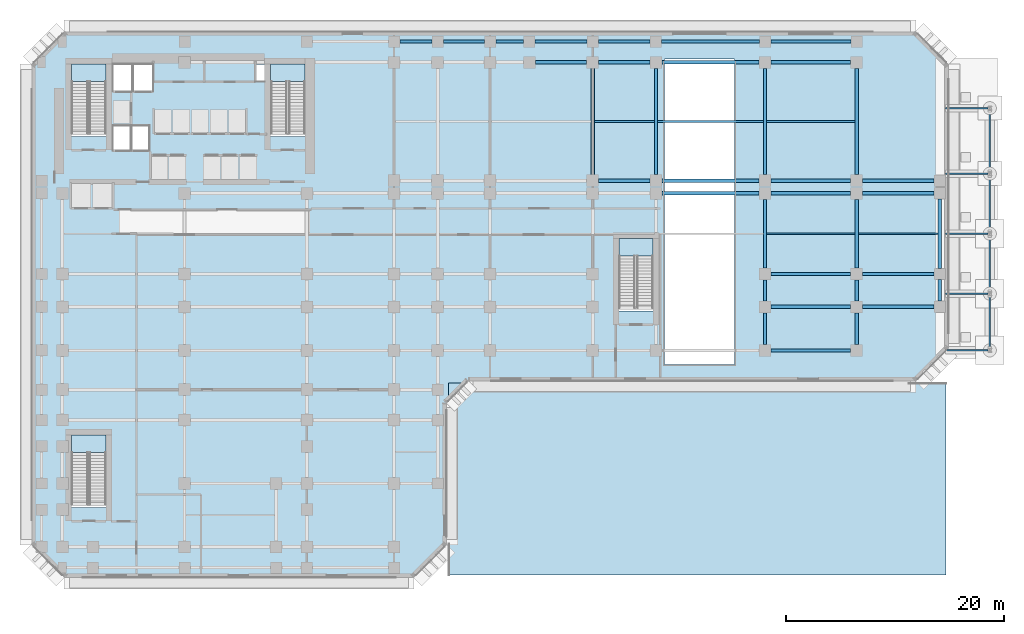
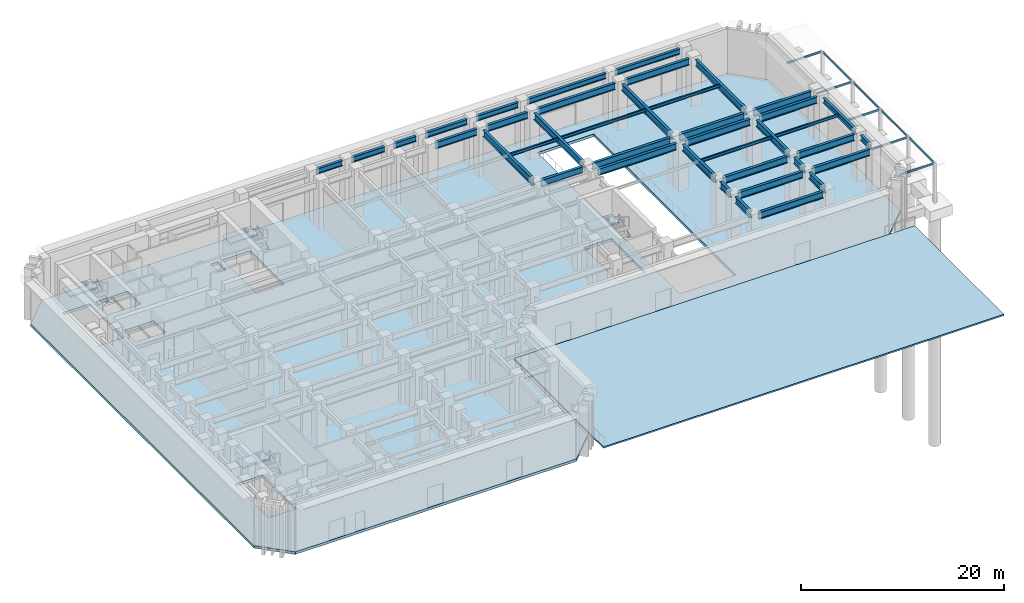
# One storey, part 5 of 18: 45 beams, 6 slabs, 4 members, 4 elements without a shape of their own.
"""IFC4 building model written with IfcOpenShell, lengths in metres."""

import ifcopenshell
import ifcopenshell.guid

model = None  # the IFC model being written
_history = None  # IfcOwnerHistory: only IFC2X3 demands one
_inside = {}  # id of a spatial element -> (the spatial element, [elements in it])
_under = {}  # id of a project, library or spatial element -> (it, [spatial elements below it])
_declared = {}  # id of a project -> (the project, [libraries it declares])
_typed = {}  # id of a type object -> (the type object, [elements of that type])
_made_of = {}  # id of a material, layer set ... -> (it, [elements and type objects made of it])


def new_model(schema):
    """Start an empty IFC model of exactly this schema.

    Asked for "IFC4X3", IfcOpenShell would pick the latest addendum, in which some entities
    have other attributes; the version numbers below select the first issue.
    IFC2X3 requires an IfcOwnerHistory on every rooted entity: one is made here for all.
    """
    global model, _history
    if schema == "IFC4X3":
        model = ifcopenshell.file(schema_version=(4, 3, 0, 0))
    else:
        model = ifcopenshell.file(schema=schema)
    _inside.clear()
    _under.clear()
    _declared.clear()
    _typed.clear()
    _made_of.clear()
    _history = None
    if model.schema == "IFC2X3":
        org = make("IfcOrganization", Name="unknown")
        user = make(
            "IfcPersonAndOrganization",
            ThePerson=make("IfcPerson", FamilyName="unknown"),
            TheOrganization=org,
        )
        app = make(
            "IfcApplication",
            ApplicationDeveloper=org,
            Version="unknown",
            ApplicationFullName="unknown",
            ApplicationIdentifier="unknown",
        )
        _history = make(
            "IfcOwnerHistory",
            OwningUser=user,
            OwningApplication=app,
            ChangeAction="ADDED",
            CreationDate=0,
        )
    return model


def make(cls, **values):
    """One entity of the class cls with the attributes given. An attribute that is None is left unset."""
    return model.create_entity(
        cls, **{name: value for name, value in values.items() if value is not None}
    )


def rooted(cls, **values):
    """An entity with a GlobalId (a new one), such as an element, a storey or a relation."""
    return make(cls, GlobalId=ifcopenshell.guid.new(), OwnerHistory=_history, **values)


def si_unit(unit_type, name, prefix=None):
    """IfcSIUnit, for example si_unit("LENGTHUNIT", "METRE", prefix="MILLI")."""
    return make("IfcSIUnit", UnitType=unit_type, Prefix=prefix, Name=name)


def assignment(units):
    """IfcUnitAssignment: the units of a project."""
    return None if units is None else make("IfcUnitAssignment", Units=units)


def point(xyz):
    """IfcCartesianPoint."""
    return None if xyz is None else make("IfcCartesianPoint", Coordinates=xyz)


def direction(xyz):
    """IfcDirection."""
    return None if xyz is None else make("IfcDirection", DirectionRatios=xyz)


def frame(location, z_axis=None, x_axis=None):
    """IfcAxis2Placement3D, a coordinate frame: its origin and axes. An axis left out is left unset."""
    return make(
        "IfcAxis2Placement3D",
        Location=point(location),
        Axis=direction(z_axis),
        RefDirection=direction(x_axis),
    )


def frame_2d(location, x_axis=None):
    """IfcAxis2Placement2D, a coordinate frame in the plane: its origin and x axis."""
    return make(
        "IfcAxis2Placement2D", Location=point(location), RefDirection=direction(x_axis)
    )


def origin():
    """The frame at (0, 0, 0) with its axes left unset."""
    return frame((0.0, 0.0, 0.0))


def origin_2d():
    """The frame at (0, 0) in the plane with its x axis left unset."""
    return frame_2d((0.0, 0.0))


def place(relative_to, where):
    """IfcLocalPlacement: puts the frame where relative to a parent placement (None: the world)."""
    return make(
        "IfcLocalPlacement", PlacementRelTo=relative_to, RelativePlacement=where
    )


def context(
    kind, dimensions, precision=None, world=None, true_north=None, identifier=None
):
    """IfcGeometricRepresentationContext, for example the 3D "Model" context."""
    return make(
        "IfcGeometricRepresentationContext",
        ContextIdentifier=identifier,
        ContextType=kind,
        CoordinateSpaceDimension=dimensions,
        Precision=precision,
        WorldCoordinateSystem=world,
        TrueNorth=true_north,
    )


def subcontext(parent, identifier, kind, view, scale=None):
    """IfcGeometricRepresentationSubContext, for example "Body" below "Model"."""
    return make(
        "IfcGeometricRepresentationSubContext",
        ContextIdentifier=identifier,
        ContextType=kind,
        ParentContext=parent,
        TargetScale=scale,
        TargetView=view,
    )


def project(units=None, contexts=None):
    """IfcProject with its units and contexts."""
    return rooted(
        "IfcProject",
        Name="project",
        RepresentationContexts=contexts,
        UnitsInContext=assignment(units),
    )


def spatial(cls, under=None, at=None, **own):
    """A site, building, storey or space (cls), placed at a placement, below another one or the project."""
    s = rooted(cls, ObjectPlacement=at, **own)
    if under is not None:
        _under.setdefault(under.id(), (under, []))[1].append(s)
    return s


def polyline(points):
    """IfcPolyline through the points."""
    return make("IfcPolyline", Points=[point(p) for p in points])


def profile(cls, at=None, kind="AREA", **sizes):
    """A parametric profile (cls). Its sizes go by their IFC names, for example OverallWidth=200.0."""
    return make(cls, ProfileType=kind, Position=at, **sizes)


def i_section(**sizes):
    """IfcIShapeProfileDef."""
    return profile("IfcIShapeProfileDef", **sizes)


def outline(outer, holes=None, kind="AREA"):
    """IfcArbitraryClosedProfileDef: a profile drawn as a closed curve; with holes, ...WithVoids."""
    if holes is None:
        return make("IfcArbitraryClosedProfileDef", ProfileType=kind, OuterCurve=outer)
    return make(
        "IfcArbitraryProfileDefWithVoids",
        ProfileType=kind,
        OuterCurve=outer,
        InnerCurves=holes,
    )


def extrude(swept, where, along, depth):
    """IfcExtrudedAreaSolid: the profile swept, set in the frame where, extruded along a direction by depth."""
    return make(
        "IfcExtrudedAreaSolid",
        SweptArea=swept,
        Position=where,
        ExtrudedDirection=direction(along),
        Depth=depth,
    )


def shape(context_of_items, identifier, shape_type, items):
    """IfcShapeRepresentation: the items that make up one representation, for example the "Body"."""
    return make(
        "IfcShapeRepresentation",
        ContextOfItems=context_of_items,
        RepresentationIdentifier=identifier,
        RepresentationType=shape_type,
        Items=items,
    )


def material(Name=None, Category=None):
    """IfcMaterial."""
    return make("IfcMaterial", Name=Name, Category=Category)


def layer(
    of_material, thickness, ventilated=None, Name=None, Category=None, Priority=None
):
    """IfcMaterialLayer: one layer of a wall or slab, of a material (None: an air gap)."""
    return make(
        "IfcMaterialLayer",
        Material=of_material,
        LayerThickness=thickness,
        IsVentilated=ventilated,
        Name=Name,
        Category=Category,
        Priority=Priority,
    )


def layer_set(layers, Name=None):
    """IfcMaterialLayerSet."""
    return make("IfcMaterialLayerSet", MaterialLayers=layers, LayerSetName=Name)


def material_profile(
    of_material, cross_section, Name=None, Category=None, Priority=None
):
    """IfcMaterialProfile: a cross section and its material."""
    return make(
        "IfcMaterialProfile",
        Name=Name,
        Material=of_material,
        Profile=cross_section,
        Priority=Priority,
        Category=Category,
    )


def profile_set(profiles, Name=None, composite=None):
    """IfcMaterialProfileSet."""
    return make(
        "IfcMaterialProfileSet",
        Name=Name,
        MaterialProfiles=profiles,
        CompositeProfile=composite,
    )


def made_of(thing, what):
    """Note that an element or type object is made of a material, layer set ...; save() writes the relation."""
    if what is not None:
        _made_of.setdefault(what.id(), (what, []))[1].append(thing)
    return thing


def type_object(cls, material=None, **own):
    """A type object (cls), such as IfcWallType, which elements share."""
    return made_of(rooted(cls, **own), material)


def element(
    cls,
    number,
    at=None,
    inside=None,
    cuts=None,
    type_object=None,
    material=None,
    context=None,
    identifier="Body",
    shape_type=None,
    held_by="IfcProductDefinitionShape",
    body=None,
    shapes=None,
    **own,
):
    """One element of the class cls, such as IfcWall. Its Tag is "e" and its number.

    at: its placement. inside: the storey or other place that contains it. cuts: it is an
    opening in that element (IfcRelVoidsElement). A single representation is given by context,
    identifier, shape_type and body (its items); several are given by shapes. held_by: the class
    of the entity that holds the representations. save() writes the other relations.
    """
    e = rooted(cls, Tag="e%d" % number, ObjectPlacement=at, **own)
    if body is not None:
        shapes = [shape(context, identifier, shape_type, body)]
    if shapes is not None:
        e.Representation = make(held_by, Representations=shapes)
    if inside is not None:
        _inside.setdefault(inside.id(), (inside, []))[1].append(e)
    if cuts is not None:
        rooted(
            "IfcRelVoidsElement", RelatingBuildingElement=cuts, RelatedOpeningElement=e
        )
    if type_object is not None:
        _typed.setdefault(type_object.id(), (type_object, []))[1].append(e)
    return made_of(e, material)


def aggregate(whole, parts):
    """IfcRelAggregates: a whole, such as a stair, and the parts it consists of."""
    return rooted("IfcRelAggregates", RelatingObject=whole, RelatedObjects=parts)


def save(model, path):
    """Write the relations noted so far, then the file.

    IfcRelAggregates (storeys below a building ...), IfcRelContainedInSpatialStructure (elements
    in a storey), IfcRelDefinesByType, IfcRelAssociatesMaterial and IfcRelDeclares: one each for
    every whole, place, type object, material and project.
    """
    for whole, parts in _under.values():
        aggregate(whole, parts)
    for where, things in _inside.values():
        rooted(
            "IfcRelContainedInSpatialStructure",
            RelatedElements=things,
            RelatingStructure=where,
        )
    for kind, things in _typed.values():
        rooted("IfcRelDefinesByType", RelatedObjects=things, RelatingType=kind)
    for what, things in _made_of.values():
        rooted("IfcRelAssociatesMaterial", RelatedObjects=things, RelatingMaterial=what)
    for by, libraries in _declared.values():
        rooted("IfcRelDeclares", RelatingContext=by, RelatedDefinitions=libraries)
    model.write(path)


model = new_model("IFC4")

# Units and contexts
model_context = context("Model", 3, precision=1e-05, world=origin(), true_north=direction((0.0, 1.0)))
body_context = subcontext(model_context, "Body", "Model", "MODEL_VIEW")
ifc_project = project(units=[si_unit("LENGTHUNIT", "METRE"), si_unit("AREAUNIT", "SQUARE_METRE"), si_unit("VOLUMEUNIT", "CUBIC_METRE"), si_unit("PLANEANGLEUNIT", "RADIAN"), si_unit("MASSUNIT", "GRAM", prefix="KILO")], contexts=[model_context])

# Site, building, storey
site_placement = place(None, origin())
site = spatial("IfcSite", under=ifc_project, at=site_placement, CompositionType="ELEMENT")
building_placement = place(site_placement, origin())
building = spatial("IfcBuilding", under=site, at=building_placement, Name="Kefirva Bronze Tower", CompositionType="ELEMENT")
storey_placement = place(building_placement, origin())
storey = spatial("IfcBuildingStorey", under=building, at=storey_placement, Name="L00", CompositionType="ELEMENT", Elevation=0.0)

# Members
ifc_material_1 = material(Name="Steel S355", Category="steel")
ifc_material_profile_1 = material_profile(ifc_material_1, i_section(OverallWidth=0.1201171875, OverallDepth=0.239990234375, WebThickness=0.006103515625, FlangeThickness=0.009765625, at=origin_2d()), Name="IPE 240")
ifc_profile_set_1 = profile_set([ifc_material_profile_1], Name="Steel S355")
member_type = type_object("IfcMemberType", Name="Steel Canopy Purlin IPE 240", PredefinedType="PURLIN", material=ifc_profile_set_1)
member_1_placement = place(storey_placement, frame((85.800048828125, 18.97998046875, 4.47998046875), z_axis=(0.0, 1.0, 0.0), x_axis=(-1.0, 0.0, 0.0)))
element("IfcMember", 1, at=member_1_placement, inside=storey, type_object=member_type, Name="L00 Canopy Purlin 1", PredefinedType="PURLIN", context=body_context, shape_type="SweptSolid", body=[
    extrude(i_section(OverallWidth=0.1201171875, OverallDepth=0.239990234375, WebThickness=0.006103515625, FlangeThickness=0.009765625, at=origin_2d()), origin(), (0.0, 0.0, 1.0), 4.840087890625),
])
for number, where, z_axis, x_axis, name in (
    (2, (85.800048828125, 24.179931640625, 4.47998046875), (0.0, 1.0, 0.0), (-1.0, 0.0, 0.0), "L00 Canopy Purlin 2"),
    (3, (85.800048828125, 29.679931640625, 4.47998046875), (0.0, 1.0, 0.0), (-1.0, 0.0, 0.0), "L00 Canopy Purlin 3"),
):
    element("IfcMember", number, at=place(storey_placement, frame(where, z_axis=z_axis, x_axis=x_axis)), inside=storey, type_object=member_type, Name=name, PredefinedType="PURLIN", context=body_context, shape_type="SweptSolid", body=[
        extrude(i_section(OverallWidth=0.1201171875, OverallDepth=0.239990234375, WebThickness=0.006103515625, FlangeThickness=0.009765625, at=origin_2d()), origin(), (0.0, 0.0, 1.0), 5.14013671875),
    ])
member_2_placement = place(storey_placement, frame((85.800048828125, 35.179931640625, 4.47998046875), z_axis=(0.0, 1.0, 0.0), x_axis=(-1.0, 0.0, 0.0)))
element("IfcMember", 4, at=member_2_placement, inside=storey, type_object=member_type, Name="L00 Canopy Purlin 4", PredefinedType="PURLIN", context=body_context, shape_type="SweptSolid", body=[
    extrude(i_section(OverallWidth=0.1201171875, OverallDepth=0.239990234375, WebThickness=0.006103515625, FlangeThickness=0.009765625, at=origin_2d()), origin(), (0.0, 0.0, 1.0), 5.64013671875),
])

# Beams
ifc_material_profile_2 = material_profile(ifc_material_1, i_section(OverallWidth=0.1201171875, OverallDepth=0.239990234375, WebThickness=0.006103515625, FlangeThickness=0.009765625, at=origin_2d()), Name="IPE 240")
ifc_profile_set_2 = profile_set([ifc_material_profile_2], Name="Steel S355")
beam_type_1 = type_object("IfcBeamType", Name="Steel Exterior Lintel IPE 240", PredefinedType="LINTEL", material=ifc_profile_set_2)
for number, where, z_axis, x_axis, name in (
    (5, (81.72509765625, 18.800048828125, 4.47998046875), (1.0, 0.0, 0.0), (0.0, 1.0, 0.0), "L00 Canopy Tie Beam 1"),
    (6, (81.72509765625, 24.0, 4.47998046875), (1.0, 0.0, 0.0), (0.0, 1.0, 0.0), "L00 Canopy Tie Beam 2"),
    (7, (81.72509765625, 29.5, 4.47998046875), (1.0, 0.0, 0.0), (0.0, 1.0, 0.0), "L00 Canopy Tie Beam 3"),
    (8, (81.72509765625, 35.0, 4.47998046875), (1.0, 0.0, 0.0), (0.0, 1.0, 0.0), "L00 Canopy Tie Beam 4"),
    (9, (81.72509765625, 41.0, 4.47998046875), (1.0, 0.0, 0.0), (0.0, 1.0, 0.0), "L00 Canopy Tie Beam 5"),
):
    element("IfcBeam", number, at=place(storey_placement, frame(where, z_axis=z_axis, x_axis=x_axis)), inside=storey, type_object=beam_type_1, Name=name, PredefinedType="LINTEL", context=body_context, shape_type="SweptSolid", body=[
        extrude(i_section(OverallWidth=0.1201171875, OverallDepth=0.239990234375, WebThickness=0.006103515625, FlangeThickness=0.009765625, at=origin_2d()), origin(), (0.0, 0.0, 1.0), 3.914794921875),
    ])
ifc_material_profile_3 = material_profile(ifc_material_1, i_section(OverallWidth=0.159912109375, OverallDepth=0.330078125, WebThickness=0.007568359375, FlangeThickness=0.011474609375, at=origin_2d()), Name="IPE 330")
ifc_profile_set_3 = profile_set([ifc_material_profile_3], Name="Steel S355")
beam_type_2 = type_object("IfcBeamType", Name="Steel Floor Joist IPE 330", PredefinedType="JOIST", material=ifc_profile_set_3)
beam_1_placement = place(storey_placement, frame((49.550048828125, 39.77490234375, 5.455078125), z_axis=(1.0, 0.0, 0.0), x_axis=(0.0, 1.0, 0.0)))
element("IfcBeam", 10, at=beam_1_placement, inside=storey, type_object=beam_type_2, Name="L00 JST-L00-49-397", PredefinedType="JOIST", context=body_context, shape_type="SweptSolid", body=[
    extrude(i_section(OverallWidth=0.159912109375, OverallDepth=0.330078125, WebThickness=0.007568359375, FlangeThickness=0.011474609375, at=origin_2d()), origin(), (0.0, 0.0, 1.0), 5.5),
])
beam_2_placement = place(storey_placement, frame((55.35009765625, 39.77490234375, 5.455078125), z_axis=(1.0, 0.0, 0.0), x_axis=(0.0, 1.0, 0.0)))
element("IfcBeam", 11, at=beam_2_placement, inside=storey, type_object=beam_type_2, Name="L00 JST-L00-55-397", PredefinedType="JOIST", context=body_context, shape_type="SweptSolid", body=[
    extrude(i_section(OverallWidth=0.159912109375, OverallDepth=0.330078125, WebThickness=0.007568359375, FlangeThickness=0.011474609375, at=origin_2d()), origin(), (0.0, 0.0, 1.0), 9.699951171875),
])
for number, where, z_axis, x_axis, name in (
    (12, (65.35009765625, 29.5, 5.455078125), (1.0, 0.0, 0.0), (0.0, 1.0, 0.0), "L00 JST-L00-65-295"),
    (13, (65.35009765625, 39.77490234375, 5.455078125), (1.0, 0.0, 0.0), (0.0, 1.0, 0.0), "L00 JST-L00-65-397"),
):
    element("IfcBeam", number, at=place(storey_placement, frame(where, z_axis=z_axis, x_axis=x_axis)), inside=storey, type_object=beam_type_2, Name=name, PredefinedType="JOIST", context=body_context, shape_type="SweptSolid", body=[
        extrude(i_section(OverallWidth=0.159912109375, OverallDepth=0.330078125, WebThickness=0.007568359375, FlangeThickness=0.011474609375, at=origin_2d()), origin(), (0.0, 0.0, 1.0), 8.099853515625),
    ])
beam_3_placement = place(storey_placement, frame((73.75, 29.5, 5.455078125), z_axis=(1.0, 0.0, 0.0), x_axis=(0.0, 1.0, 0.0)))
element("IfcBeam", 14, at=beam_3_placement, inside=storey, type_object=beam_type_2, Name="L00 JST-L00-73-295", PredefinedType="JOIST", context=body_context, shape_type="SweptSolid", body=[
    extrude(i_section(OverallWidth=0.159912109375, OverallDepth=0.330078125, WebThickness=0.007568359375, FlangeThickness=0.011474609375, at=origin_2d()), origin(), (0.0, 0.0, 1.0), 7.300048828125),
])
ifc_material_profile_4 = material_profile(ifc_material_1, i_section(OverallWidth=0.300048828125, OverallDepth=0.800048828125, WebThickness=0.017578125, FlangeThickness=0.032958984375, at=origin_2d()), Name="HEB 800")
ifc_profile_set_4 = profile_set([ifc_material_profile_4], Name="Steel S355")
beam_type_3 = type_object("IfcBeamType", Name="Steel Girder HEB 800", PredefinedType="USERDEFINED", material=ifc_profile_set_4)
for number, where, z_axis, x_axis, name in (
    (15, (65.75, 18.800048828125, 5.219970703125), (1.0, 0.0, 0.0), (0.0, 1.0, 0.0), "L00 BM-L00-EW-65-188"),
    (16, (65.75, 22.800048828125, 5.219970703125), (1.0, 0.0, 0.0), (0.0, 1.0, 0.0), "L00 BM-L00-EW-65-228"),
):
    element("IfcBeam", number, at=place(storey_placement, frame(where, z_axis=z_axis, x_axis=x_axis)), inside=storey, type_object=beam_type_3, Name=name, ObjectType="GIRDER", PredefinedType="USERDEFINED", context=body_context, shape_type="SweptSolid", body=[
        extrude(i_section(OverallWidth=0.300048828125, OverallDepth=0.800048828125, WebThickness=0.017578125, FlangeThickness=0.032958984375, at=origin_2d()), origin(), (0.0, 0.0, 1.0), 7.300048828125),
    ])
beam_4_placement = place(storey_placement, frame((74.14990234375, 22.800048828125, 5.219970703125), z_axis=(1.0, 0.0, 0.0), x_axis=(0.0, 1.0, 0.0)))
element("IfcBeam", 17, at=beam_4_placement, inside=storey, type_object=beam_type_3, Name="L00 BM-L00-EW-73-228", ObjectType="GIRDER", PredefinedType="USERDEFINED", context=body_context, shape_type="SweptSolid", body=[
    extrude(i_section(OverallWidth=0.300048828125, OverallDepth=0.800048828125, WebThickness=0.017578125, FlangeThickness=0.032958984375, at=origin_2d()), origin(), (0.0, 0.0, 1.0), 6.525146484375),
])
beam_5_placement = place(storey_placement, frame((65.75, 25.800048828125, 5.219970703125), z_axis=(1.0, 0.0, 0.0), x_axis=(0.0, 1.0, 0.0)))
element("IfcBeam", 18, at=beam_5_placement, inside=storey, type_object=beam_type_3, Name="L00 BM-L00-EW-65-258", ObjectType="GIRDER", PredefinedType="USERDEFINED", context=body_context, shape_type="SweptSolid", body=[
    extrude(i_section(OverallWidth=0.300048828125, OverallDepth=0.800048828125, WebThickness=0.017578125, FlangeThickness=0.032958984375, at=origin_2d()), origin(), (0.0, 0.0, 1.0), 7.300048828125),
])
beam_6_placement = place(storey_placement, frame((74.14990234375, 25.800048828125, 5.219970703125), z_axis=(1.0, 0.0, 0.0), x_axis=(0.0, 1.0, 0.0)))
element("IfcBeam", 19, at=beam_6_placement, inside=storey, type_object=beam_type_3, Name="L00 BM-L00-EW-73-258", ObjectType="GIRDER", PredefinedType="USERDEFINED", context=body_context, shape_type="SweptSolid", body=[
    extrude(i_section(OverallWidth=0.300048828125, OverallDepth=0.800048828125, WebThickness=0.017578125, FlangeThickness=0.032958984375, at=origin_2d()), origin(), (0.0, 0.0, 1.0), 6.525146484375),
])
beam_7_placement = place(storey_placement, frame((55.75, 33.199951171875, 5.219970703125), z_axis=(1.0, 0.0, 0.0), x_axis=(0.0, 1.0, 0.0)))
element("IfcBeam", 20, at=beam_7_placement, inside=storey, type_object=beam_type_3, Name="L00 BM-L00-EW-55-332", ObjectType="GIRDER", PredefinedType="USERDEFINED", context=body_context, shape_type="SweptSolid", body=[
    extrude(i_section(OverallWidth=0.300048828125, OverallDepth=0.800048828125, WebThickness=0.017578125, FlangeThickness=0.032958984375, at=origin_2d()), origin(), (0.0, 0.0, 1.0), 8.89990234375),
])
beam_8_placement = place(storey_placement, frame((65.75, 33.199951171875, 5.219970703125), z_axis=(1.0, 0.0, 0.0), x_axis=(0.0, 1.0, 0.0)))
element("IfcBeam", 21, at=beam_8_placement, inside=storey, type_object=beam_type_3, Name="L00 BM-L00-EW-65-332", ObjectType="GIRDER", PredefinedType="USERDEFINED", context=body_context, shape_type="SweptSolid", body=[
    extrude(i_section(OverallWidth=0.300048828125, OverallDepth=0.800048828125, WebThickness=0.017578125, FlangeThickness=0.032958984375, at=origin_2d()), origin(), (0.0, 0.0, 1.0), 7.300048828125),
])
beam_9_placement = place(storey_placement, frame((74.14990234375, 33.199951171875, 5.219970703125), z_axis=(1.0, 0.0, 0.0), x_axis=(0.0, 1.0, 0.0)))
element("IfcBeam", 22, at=beam_9_placement, inside=storey, type_object=beam_type_3, Name="L00 BM-L00-EW-73-332", ObjectType="GIRDER", PredefinedType="USERDEFINED", context=body_context, shape_type="SweptSolid", body=[
    extrude(i_section(OverallWidth=0.300048828125, OverallDepth=0.800048828125, WebThickness=0.017578125, FlangeThickness=0.032958984375, at=origin_2d()), origin(), (0.0, 0.0, 1.0), 6.525146484375),
])
beam_10_placement = place(storey_placement, frame((49.949951171875, 34.35009765625, 5.219970703125), z_axis=(1.0, 0.0, 0.0), x_axis=(0.0, 1.0, 0.0)))
element("IfcBeam", 23, at=beam_10_placement, inside=storey, type_object=beam_type_3, Name="L00 BM-L00-EW-49-344", ObjectType="GIRDER", PredefinedType="USERDEFINED", context=body_context, shape_type="SweptSolid", body=[
    extrude(i_section(OverallWidth=0.300048828125, OverallDepth=0.800048828125, WebThickness=0.017578125, FlangeThickness=0.032958984375, at=origin_2d()), origin(), (0.0, 0.0, 1.0), 4.699951171875),
])
beam_11_placement = place(storey_placement, frame((55.75, 34.35009765625, 5.219970703125), z_axis=(1.0, 0.0, 0.0), x_axis=(0.0, 1.0, 0.0)))
element("IfcBeam", 24, at=beam_11_placement, inside=storey, type_object=beam_type_3, Name="L00 BM-L00-EW-55-344", ObjectType="GIRDER", PredefinedType="USERDEFINED", context=body_context, shape_type="SweptSolid", body=[
    extrude(i_section(OverallWidth=0.300048828125, OverallDepth=0.800048828125, WebThickness=0.017578125, FlangeThickness=0.032958984375, at=origin_2d()), origin(), (0.0, 0.0, 1.0), 8.89990234375),
])
beam_12_placement = place(storey_placement, frame((65.75, 34.35009765625, 5.219970703125), z_axis=(1.0, 0.0, 0.0), x_axis=(0.0, 1.0, 0.0)))
element("IfcBeam", 25, at=beam_12_placement, inside=storey, type_object=beam_type_3, Name="L00 BM-L00-EW-65-344", ObjectType="GIRDER", PredefinedType="USERDEFINED", context=body_context, shape_type="SweptSolid", body=[
    extrude(i_section(OverallWidth=0.300048828125, OverallDepth=0.800048828125, WebThickness=0.017578125, FlangeThickness=0.032958984375, at=origin_2d()), origin(), (0.0, 0.0, 1.0), 7.300048828125),
])
beam_13_placement = place(storey_placement, frame((74.14990234375, 34.35009765625, 5.219970703125), z_axis=(1.0, 0.0, 0.0), x_axis=(0.0, 1.0, 0.0)))
element("IfcBeam", 26, at=beam_13_placement, inside=storey, type_object=beam_type_3, Name="L00 BM-L00-EW-73-344", ObjectType="GIRDER", PredefinedType="USERDEFINED", context=body_context, shape_type="SweptSolid", body=[
    extrude(i_section(OverallWidth=0.300048828125, OverallDepth=0.800048828125, WebThickness=0.017578125, FlangeThickness=0.032958984375, at=origin_2d()), origin(), (0.0, 0.0, 1.0), 6.525146484375),
])
beam_14_placement = place(storey_placement, frame((44.14990234375, 45.199951171875, 5.219970703125), z_axis=(1.0, 0.0, 0.0), x_axis=(0.0, 1.0, 0.0)))
element("IfcBeam", 27, at=beam_14_placement, inside=storey, type_object=beam_type_3, Name="L00 BM-L00-EW-43-452", ObjectType="GIRDER", PredefinedType="USERDEFINED", context=body_context, shape_type="SweptSolid", body=[
    extrude(i_section(OverallWidth=0.300048828125, OverallDepth=0.800048828125, WebThickness=0.017578125, FlangeThickness=0.032958984375, at=origin_2d()), origin(), (0.0, 0.0, 1.0), 4.7001953125),
])
beam_15_placement = place(storey_placement, frame((49.949951171875, 45.199951171875, 5.219970703125), z_axis=(1.0, 0.0, 0.0), x_axis=(0.0, 1.0, 0.0)))
element("IfcBeam", 28, at=beam_15_placement, inside=storey, type_object=beam_type_3, Name="L00 BM-L00-EW-49-452", ObjectType="GIRDER", PredefinedType="USERDEFINED", context=body_context, shape_type="SweptSolid", body=[
    extrude(i_section(OverallWidth=0.300048828125, OverallDepth=0.800048828125, WebThickness=0.017578125, FlangeThickness=0.032958984375, at=origin_2d()), origin(), (0.0, 0.0, 1.0), 4.699951171875),
])
beam_16_placement = place(storey_placement, frame((55.75, 45.199951171875, 5.219970703125), z_axis=(1.0, 0.0, 0.0), x_axis=(0.0, 1.0, 0.0)))
element("IfcBeam", 29, at=beam_16_placement, inside=storey, type_object=beam_type_3, Name="L00 BM-L00-EW-55-452", ObjectType="GIRDER", PredefinedType="USERDEFINED", context=body_context, shape_type="SweptSolid", body=[
    extrude(i_section(OverallWidth=0.300048828125, OverallDepth=0.800048828125, WebThickness=0.017578125, FlangeThickness=0.032958984375, at=origin_2d()), origin(), (0.0, 0.0, 1.0), 8.89990234375),
])
beam_17_placement = place(storey_placement, frame((65.75, 45.199951171875, 5.219970703125), z_axis=(1.0, 0.0, 0.0), x_axis=(0.0, 1.0, 0.0)))
element("IfcBeam", 30, at=beam_17_placement, inside=storey, type_object=beam_type_3, Name="L00 BM-L00-EW-65-452", ObjectType="GIRDER", PredefinedType="USERDEFINED", context=body_context, shape_type="SweptSolid", body=[
    extrude(i_section(OverallWidth=0.300048828125, OverallDepth=0.800048828125, WebThickness=0.017578125, FlangeThickness=0.032958984375, at=origin_2d()), origin(), (0.0, 0.0, 1.0), 7.300048828125),
])
for number, where, z_axis, x_axis, name in (
    (31, (49.39990234375, 34.89990234375, 5.219970703125), (0.0, 1.0, 0.0), (-1.0, 0.0, 0.0), "L00 BM-L00-NS-494-34"),
    (32, (55.199951171875, 34.89990234375, 5.219970703125), (0.0, 1.0, 0.0), (-1.0, 0.0, 0.0), "L00 BM-L00-NS-552-34"),
):
    element("IfcBeam", number, at=place(storey_placement, frame(where, z_axis=z_axis, x_axis=x_axis)), inside=storey, type_object=beam_type_3, Name=name, ObjectType="GIRDER", PredefinedType="USERDEFINED", context=body_context, shape_type="SweptSolid", body=[
        extrude(i_section(OverallWidth=0.300048828125, OverallDepth=0.800048828125, WebThickness=0.017578125, FlangeThickness=0.032958984375, at=origin_2d()), origin(), (0.0, 0.0, 1.0), 9.75),
    ])
beam_18_placement = place(storey_placement, frame((65.199951171875, 19.35009765625, 5.219970703125), z_axis=(0.0, 1.0, 0.0), x_axis=(-1.0, 0.0, 0.0)))
element("IfcBeam", 33, at=beam_18_placement, inside=storey, type_object=beam_type_3, Name="L00 BM-L00-NS-652-18", ObjectType="GIRDER", PredefinedType="USERDEFINED", context=body_context, shape_type="SweptSolid", body=[
    extrude(i_section(OverallWidth=0.300048828125, OverallDepth=0.800048828125, WebThickness=0.017578125, FlangeThickness=0.032958984375, at=origin_2d()), origin(), (0.0, 0.0, 1.0), 2.89990234375),
])
beam_19_placement = place(storey_placement, frame((65.199951171875, 23.35009765625, 5.219970703125), z_axis=(0.0, 1.0, 0.0), x_axis=(-1.0, 0.0, 0.0)))
element("IfcBeam", 34, at=beam_19_placement, inside=storey, type_object=beam_type_3, Name="L00 BM-L00-NS-652-22", ObjectType="GIRDER", PredefinedType="USERDEFINED", context=body_context, shape_type="SweptSolid", body=[
    extrude(i_section(OverallWidth=0.300048828125, OverallDepth=0.800048828125, WebThickness=0.017578125, FlangeThickness=0.032958984375, at=origin_2d()), origin(), (0.0, 0.0, 1.0), 1.89990234375),
])
beam_20_placement = place(storey_placement, frame((65.199951171875, 26.35009765625, 5.219970703125), z_axis=(0.0, 1.0, 0.0), x_axis=(-1.0, 0.0, 0.0)))
element("IfcBeam", 35, at=beam_20_placement, inside=storey, type_object=beam_type_3, Name="L00 BM-L00-NS-652-25", ObjectType="GIRDER", PredefinedType="USERDEFINED", context=body_context, shape_type="SweptSolid", body=[
    extrude(i_section(OverallWidth=0.300048828125, OverallDepth=0.800048828125, WebThickness=0.017578125, FlangeThickness=0.032958984375, at=origin_2d()), origin(), (0.0, 0.0, 1.0), 6.2998046875),
])
beam_21_placement = place(storey_placement, frame((65.199951171875, 34.89990234375, 5.219970703125), z_axis=(0.0, 1.0, 0.0), x_axis=(-1.0, 0.0, 0.0)))
element("IfcBeam", 36, at=beam_21_placement, inside=storey, type_object=beam_type_3, Name="L00 BM-L00-NS-652-34", ObjectType="GIRDER", PredefinedType="USERDEFINED", context=body_context, shape_type="SweptSolid", body=[
    extrude(i_section(OverallWidth=0.300048828125, OverallDepth=0.800048828125, WebThickness=0.017578125, FlangeThickness=0.032958984375, at=origin_2d()), origin(), (0.0, 0.0, 1.0), 9.75),
])
beam_22_placement = place(storey_placement, frame((73.60009765625, 19.35009765625, 5.219970703125), z_axis=(0.0, 1.0, 0.0), x_axis=(-1.0, 0.0, 0.0)))
element("IfcBeam", 37, at=beam_22_placement, inside=storey, type_object=beam_type_3, Name="L00 BM-L00-NS-736-18", ObjectType="GIRDER", PredefinedType="USERDEFINED", context=body_context, shape_type="SweptSolid", body=[
    extrude(i_section(OverallWidth=0.300048828125, OverallDepth=0.800048828125, WebThickness=0.017578125, FlangeThickness=0.032958984375, at=origin_2d()), origin(), (0.0, 0.0, 1.0), 2.89990234375),
])
beam_23_placement = place(storey_placement, frame((73.60009765625, 23.35009765625, 5.219970703125), z_axis=(0.0, 1.0, 0.0), x_axis=(-1.0, 0.0, 0.0)))
element("IfcBeam", 38, at=beam_23_placement, inside=storey, type_object=beam_type_3, Name="L00 BM-L00-NS-736-22", ObjectType="GIRDER", PredefinedType="USERDEFINED", context=body_context, shape_type="SweptSolid", body=[
    extrude(i_section(OverallWidth=0.300048828125, OverallDepth=0.800048828125, WebThickness=0.017578125, FlangeThickness=0.032958984375, at=origin_2d()), origin(), (0.0, 0.0, 1.0), 1.89990234375),
])
beam_24_placement = place(storey_placement, frame((73.60009765625, 26.35009765625, 5.219970703125), z_axis=(0.0, 1.0, 0.0), x_axis=(-1.0, 0.0, 0.0)))
element("IfcBeam", 39, at=beam_24_placement, inside=storey, type_object=beam_type_3, Name="L00 BM-L00-NS-736-25", ObjectType="GIRDER", PredefinedType="USERDEFINED", context=body_context, shape_type="SweptSolid", body=[
    extrude(i_section(OverallWidth=0.300048828125, OverallDepth=0.800048828125, WebThickness=0.017578125, FlangeThickness=0.032958984375, at=origin_2d()), origin(), (0.0, 0.0, 1.0), 6.2998046875),
])
beam_25_placement = place(storey_placement, frame((73.60009765625, 34.89990234375, 5.219970703125), z_axis=(0.0, 1.0, 0.0), x_axis=(-1.0, 0.0, 0.0)))
element("IfcBeam", 40, at=beam_25_placement, inside=storey, type_object=beam_type_3, Name="L00 BM-L00-NS-736-34", ObjectType="GIRDER", PredefinedType="USERDEFINED", context=body_context, shape_type="SweptSolid", body=[
    extrude(i_section(OverallWidth=0.300048828125, OverallDepth=0.800048828125, WebThickness=0.017578125, FlangeThickness=0.032958984375, at=origin_2d()), origin(), (0.0, 0.0, 1.0), 9.75),
])
ifc_material_profile_5 = material_profile(ifc_material_1, i_section(OverallWidth=0.300048828125, OverallDepth=0.64990234375, WebThickness=0.01611328125, FlangeThickness=0.031005859375, at=origin_2d()), Name="HEB 650")
ifc_profile_set_5 = profile_set([ifc_material_profile_5], Name="Steel S355")
beam_type_4 = type_object("IfcBeamType", Name="Steel Spandrel HEB 650 Ext", PredefinedType="SPANDREL", material=ifc_profile_set_5)
beam_26_placement = place(storey_placement, frame((31.72509765625, 47.10009765625, 5.294921875), z_axis=(1.0, 0.0, 0.0), x_axis=(0.0, 1.0, 0.0)))
element("IfcBeam", 41, at=beam_26_placement, inside=storey, type_object=beam_type_4, Name="L00 BM-L00-EW-31-471", PredefinedType="SPANDREL", context=body_context, shape_type="SweptSolid", body=[
    extrude(i_section(OverallWidth=0.300048828125, OverallDepth=0.64990234375, WebThickness=0.01611328125, FlangeThickness=0.031005859375, at=origin_2d()), origin(), (0.0, 0.0, 1.0), 2.949951171875),
])
beam_27_placement = place(storey_placement, frame((35.72509765625, 47.10009765625, 5.294921875), z_axis=(1.0, 0.0, 0.0), x_axis=(0.0, 1.0, 0.0)))
element("IfcBeam", 42, at=beam_27_placement, inside=storey, type_object=beam_type_4, Name="L00 BM-L00-EW-35-471", PredefinedType="SPANDREL", context=body_context, shape_type="SweptSolid", body=[
    extrude(i_section(OverallWidth=0.300048828125, OverallDepth=0.64990234375, WebThickness=0.01611328125, FlangeThickness=0.031005859375, at=origin_2d()), origin(), (0.0, 0.0, 1.0), 3.75),
])
beam_28_placement = place(storey_placement, frame((40.52490234375, 47.10009765625, 5.294921875), z_axis=(1.0, 0.0, 0.0), x_axis=(0.0, 1.0, 0.0)))
element("IfcBeam", 43, at=beam_28_placement, inside=storey, type_object=beam_type_4, Name="L00 BM-L00-EW-40-471", PredefinedType="SPANDREL", context=body_context, shape_type="SweptSolid", body=[
    extrude(i_section(OverallWidth=0.300048828125, OverallDepth=0.64990234375, WebThickness=0.01611328125, FlangeThickness=0.031005859375, at=origin_2d()), origin(), (0.0, 0.0, 1.0), 2.550048828125),
])
for number, where, z_axis, x_axis, name in (
    (44, (44.125, 47.10009765625, 5.294921875), (1.0, 0.0, 0.0), (0.0, 1.0, 0.0), "L00 BM-L00-EW-43-471"),
    (45, (49.925048828125, 47.10009765625, 5.294921875), (1.0, 0.0, 0.0), (0.0, 1.0, 0.0), "L00 BM-L00-EW-49-471"),
):
    element("IfcBeam", number, at=place(storey_placement, frame(where, z_axis=z_axis, x_axis=x_axis)), inside=storey, type_object=beam_type_4, Name=name, PredefinedType="SPANDREL", context=body_context, shape_type="SweptSolid", body=[
        extrude(i_section(OverallWidth=0.300048828125, OverallDepth=0.64990234375, WebThickness=0.01611328125, FlangeThickness=0.031005859375, at=origin_2d()), origin(), (0.0, 0.0, 1.0), 4.75),
    ])
beam_29_placement = place(storey_placement, frame((55.72509765625, 47.10009765625, 5.294921875), z_axis=(1.0, 0.0, 0.0), x_axis=(0.0, 1.0, 0.0)))
element("IfcBeam", 46, at=beam_29_placement, inside=storey, type_object=beam_type_4, Name="L00 BM-L00-EW-55-471", PredefinedType="SPANDREL", context=body_context, shape_type="SweptSolid", body=[
    extrude(i_section(OverallWidth=0.300048828125, OverallDepth=0.64990234375, WebThickness=0.01611328125, FlangeThickness=0.031005859375, at=origin_2d()), origin(), (0.0, 0.0, 1.0), 8.949951171875),
])
beam_30_placement = place(storey_placement, frame((65.72509765625, 47.10009765625, 5.294921875), z_axis=(1.0, 0.0, 0.0), x_axis=(0.0, 1.0, 0.0)))
element("IfcBeam", 47, at=beam_30_placement, inside=storey, type_object=beam_type_4, Name="L00 BM-L00-EW-65-471", PredefinedType="SPANDREL", context=body_context, shape_type="SweptSolid", body=[
    extrude(i_section(OverallWidth=0.300048828125, OverallDepth=0.64990234375, WebThickness=0.01611328125, FlangeThickness=0.031005859375, at=origin_2d()), origin(), (0.0, 0.0, 1.0), 7.349853515625),
])
beam_31_placement = place(storey_placement, frame((81.199951171875, 23.324951171875, 5.294921875), z_axis=(0.0, 1.0, 0.0), x_axis=(-1.0, 0.0, 0.0)))
element("IfcBeam", 48, at=beam_31_placement, inside=storey, type_object=beam_type_4, Name="L00 BM-L00-NS-812-22", PredefinedType="SPANDREL", context=body_context, shape_type="SweptSolid", body=[
    extrude(i_section(OverallWidth=0.300048828125, OverallDepth=0.64990234375, WebThickness=0.01611328125, FlangeThickness=0.031005859375, at=origin_2d()), origin(), (0.0, 0.0, 1.0), 1.949951171875),
])
beam_32_placement = place(storey_placement, frame((81.199951171875, 26.324951171875, 5.294921875), z_axis=(0.0, 1.0, 0.0), x_axis=(-1.0, 0.0, 0.0)))
element("IfcBeam", 49, at=beam_32_placement, inside=storey, type_object=beam_type_4, Name="L00 BM-L00-NS-812-25", PredefinedType="SPANDREL", context=body_context, shape_type="SweptSolid", body=[
    extrude(i_section(OverallWidth=0.300048828125, OverallDepth=0.64990234375, WebThickness=0.01611328125, FlangeThickness=0.031005859375, at=origin_2d()), origin(), (0.0, 0.0, 1.0), 6.35009765625),
])

# Slabs
ifc_material_2 = material(Name="Concrete C40/50", Category="concrete")
ifc_layer_1 = layer(ifc_material_2, 0.179931640625, Name="Concrete C40/50")
ifc_layer_set_1 = layer_set([ifc_layer_1], Name="Concrete C40/50")
slab_type_1 = type_object("IfcSlabType", Name="Basalt Paved Civic Plaza Slab 180mm", PredefinedType="USERDEFINED", material=ifc_layer_set_1)
slab_1_placement = place(storey_placement, origin())
element("IfcSlab", 50, at=slab_1_placement, inside=storey, type_object=slab_type_1, Name="Southeast Forecourt Public Plaza Paving", ObjectType="PAVING", PredefinedType="USERDEFINED", context=body_context, shape_type="SweptSolid", body=[
    extrude(outline(polyline([(36.199951171875, -1.800048828125), (81.800048828125, -1.800048828125), (81.800048828125, 15.800048828125), (36.199951171875, 15.800048828125), (36.199951171875, -1.800048828125)])), origin(), (0.0, 0.0, 1.0), 0.179931640625),
])
ifc_layer_2 = layer(ifc_material_2, 0.320068359375, Name="Concrete C40/50")
ifc_layer_set_2 = layer_set([ifc_layer_2], Name="Concrete C40/50")
slab_type_2 = type_object("IfcSlabType", Name="RC Podium Floor Slab 320mm", PredefinedType="FLOOR", material=ifc_layer_set_2)
slab_2_placement = place(storey_placement, frame((0.0, 0.0, -0.320068359375)))
element("IfcSlab", 51, at=slab_2_placement, inside=storey, type_object=slab_type_2, Name="L00 Structural Floor Slab", PredefinedType="FLOOR", context=body_context, shape_type="SweptSolid", body=[
    extrude(outline(polyline([(-2.0, 1.0), (-2.0, 45.0), (1.0, 48.0), (79.0, 48.0), (82.0, 45.0), (82.0, 19.0), (79.0, 16.0), (38.0, 16.0), (36.0, 14.0), (36.0, 1.0), (33.0, -2.0), (1.0, -2.0), (-2.0, 1.0)]), holes=[polyline([(62.39990234375, 45.5), (56.0, 45.5), (56.0, 17.5), (62.39990234375, 17.5), (62.39990234375, 45.5)]), polyline([(54.949951171875, 29.050048828125), (51.800048828125, 29.050048828125), (51.800048828125, 22.39990234375), (54.949951171875, 22.39990234375), (54.949951171875, 29.050048828125)]), polyline([(23.050048828125, 45.050048828125), (19.89990234375, 45.050048828125), (19.89990234375, 38.39990234375), (23.050048828125, 38.39990234375), (23.050048828125, 45.050048828125)]), polyline([(19.320068359375, 43.419921875), (19.320068359375, 45.0), (18.52001953125, 45.0), (18.52001953125, 43.419921875), (19.320068359375, 43.419921875)]), polyline([(9.1201171875, 42.550048828125), (9.1201171875, 45.050048828125), (7.300048828125, 45.050048828125), (7.300048828125, 42.550048828125), (9.1201171875, 42.550048828125)]), polyline([(8.780029296875, 37.10009765625), (8.780029296875, 39.39990234375), (7.139892578125, 39.39990234375), (7.139892578125, 37.10009765625), (8.780029296875, 37.10009765625)]), polyline([(7.239990234375, 45.050048828125), (5.419921875, 45.050048828125), (5.419921875, 42.550048828125), (7.239990234375, 42.550048828125), (7.239990234375, 45.050048828125)]), polyline([(7.06005859375, 37.10009765625), (7.06005859375, 39.39990234375), (5.419921875, 39.39990234375), (5.419921875, 37.10009765625), (7.06005859375, 37.10009765625)]), polyline([(4.800048828125, 11.050048828125), (1.64990234375, 11.050048828125), (1.64990234375, 4.39990234375), (4.800048828125, 4.39990234375), (4.800048828125, 11.050048828125)]), polyline([(4.800048828125, 45.050048828125), (1.64990234375, 45.050048828125), (1.64990234375, 38.39990234375), (4.800048828125, 38.39990234375), (4.800048828125, 45.050048828125)])]), origin(), (0.0, 0.0, 1.0), 0.320068359375),
])

# Stair, slab
stair_type = type_object("IfcStairType", Name="RC Dogleg Protected Stair 36R", PredefinedType="HALF_TURN_STAIR", material=ifc_material_2)
stair_1_placement = place(storey_placement, origin())
stair_1 = element("IfcStair", 52, at=stair_1_placement, inside=storey, type_object=stair_type, Name="L00 Protected Exit Stair 1", PredefinedType="HALF_TURN_STAIR")
ifc_layer_3 = layer(ifc_material_2, 0.199951171875, Name="Concrete C40/50")
ifc_layer_set_3 = layer_set([ifc_layer_3], Name="Concrete C40/50")
slab_type_3 = type_object("IfcSlabType", Name="RC Stair Landing Slab 200mm", PredefinedType="LANDING", material=ifc_layer_set_3)
slab_3_placement = place(storey_placement, frame((0.0, 0.0, 2.77001953125)))
slab_3 = element("IfcSlab", 53, at=slab_3_placement, type_object=slab_type_3, Name="ST-1 landing 1", PredefinedType="LANDING", context=body_context, shape_type="SweptSolid", body=[
    extrude(outline(polyline([(4.800048828125, 43.4599609375), (4.800048828125, 45.050048828125), (1.64990234375, 45.050048828125), (1.64990234375, 43.4599609375), (4.800048828125, 43.4599609375)])), origin(), (0.0, 0.0, 1.0), 0.199951171875),
])
aggregate(stair_1, [slab_3])

stair_2_placement = place(storey_placement, origin())
stair_2 = element("IfcStair", 54, at=stair_2_placement, inside=storey, type_object=stair_type, Name="L00 Protected Exit Stair 2", PredefinedType="HALF_TURN_STAIR")
slab_4_placement = place(storey_placement, frame((0.0, 0.0, 2.77001953125)))
slab_4 = element("IfcSlab", 55, at=slab_4_placement, type_object=slab_type_3, Name="ST-2 landing 1", PredefinedType="LANDING", context=body_context, shape_type="SweptSolid", body=[
    extrude(outline(polyline([(23.050048828125, 43.4599609375), (23.050048828125, 45.050048828125), (19.89990234375, 45.050048828125), (19.89990234375, 43.4599609375), (23.050048828125, 43.4599609375)])), origin(), (0.0, 0.0, 1.0), 0.199951171875),
])
aggregate(stair_2, [slab_4])

stair_3_placement = place(storey_placement, origin())
stair_3 = element("IfcStair", 56, at=stair_3_placement, inside=storey, type_object=stair_type, Name="L00 Podium Exit Stair 3", PredefinedType="HALF_TURN_STAIR")
slab_5_placement = place(storey_placement, frame((0.0, 0.0, 2.77001953125)))
slab_5 = element("IfcSlab", 57, at=slab_5_placement, type_object=slab_type_3, Name="ST-3 landing 1", PredefinedType="LANDING", context=body_context, shape_type="SweptSolid", body=[
    extrude(outline(polyline([(4.800048828125, 9.4599609375), (4.800048828125, 11.050048828125), (1.64990234375, 11.050048828125), (1.64990234375, 9.4599609375), (4.800048828125, 9.4599609375)])), origin(), (0.0, 0.0, 1.0), 0.199951171875),
])
aggregate(stair_3, [slab_5])

stair_4_placement = place(storey_placement, origin())
stair_4 = element("IfcStair", 58, at=stair_4_placement, inside=storey, type_object=stair_type, Name="L00 Podium Exit Stair 4", PredefinedType="HALF_TURN_STAIR")
slab_6_placement = place(storey_placement, frame((0.0, 0.0, 2.77001953125)))
slab_6 = element("IfcSlab", 59, at=slab_6_placement, type_object=slab_type_3, Name="ST-4 landing 1", PredefinedType="LANDING", context=body_context, shape_type="SweptSolid", body=[
    extrude(outline(polyline([(54.949951171875, 27.4599609375), (54.949951171875, 29.050048828125), (51.800048828125, 29.050048828125), (51.800048828125, 27.4599609375), (54.949951171875, 27.4599609375)])), origin(), (0.0, 0.0, 1.0), 0.199951171875),
])
aggregate(stair_4, [slab_6])

save(model, "model.ifc")
